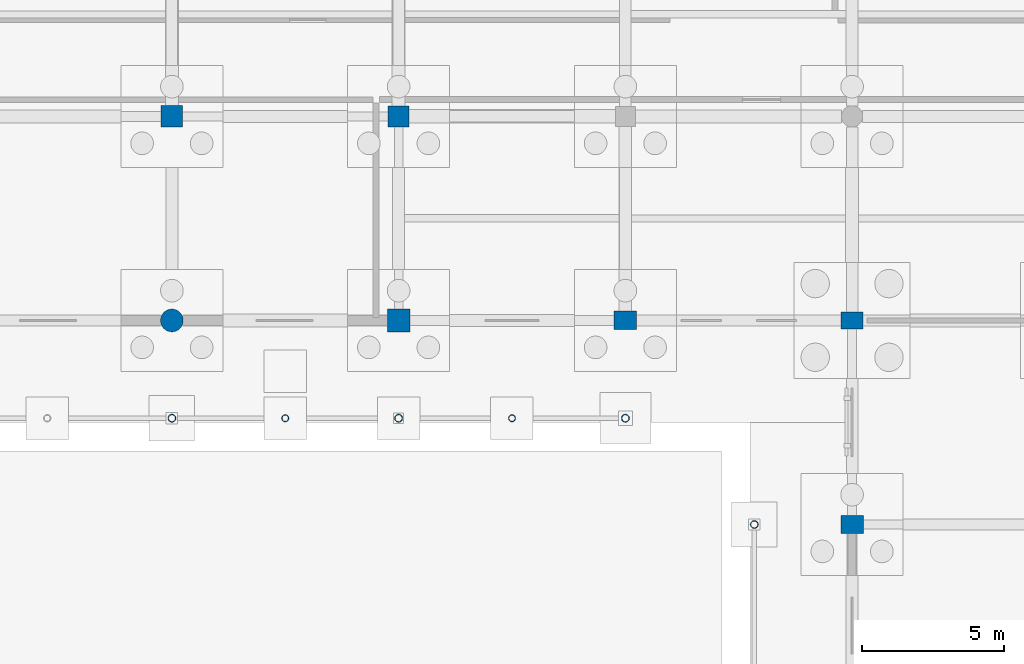
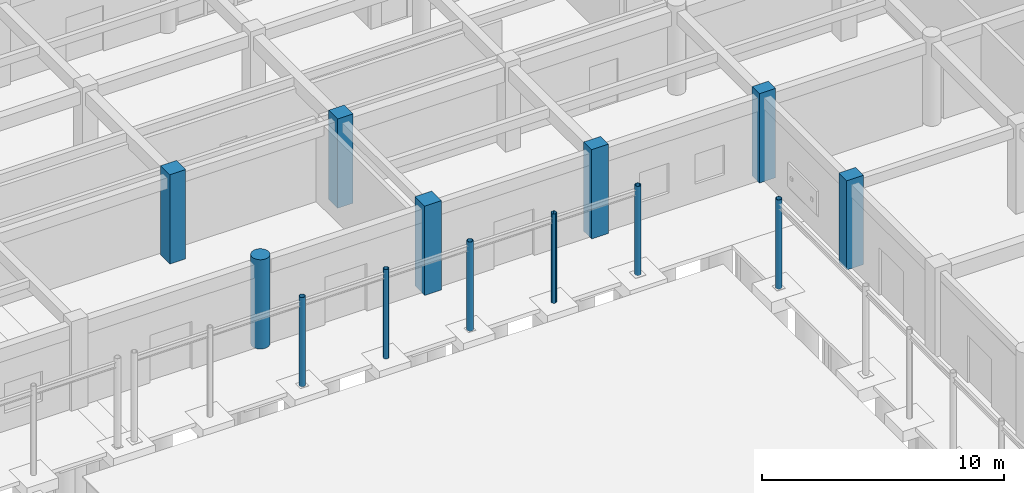
# One storey, part 47 of 166: 13 columns.
"""IFC4 building model written with IfcOpenShell, lengths in metres."""

from ifc_helpers import new_model, si_unit, direction, frame, origin, origin_2d, place, context, subcontext, project, spatial, rectangle, circle, hollow_circle, extrude, material, material_profile, profile_set, type_object, element, save


model = new_model("IFC4")

# Units and contexts
model_context = context("Model", 3, precision=1e-05, world=origin(), true_north=direction((0.0, 1.0)))
body_context = subcontext(model_context, "Body", "Model", "MODEL_VIEW")
ifc_project = project(units=[si_unit("LENGTHUNIT", "METRE"), si_unit("AREAUNIT", "SQUARE_METRE"), si_unit("VOLUMEUNIT", "CUBIC_METRE"), si_unit("PLANEANGLEUNIT", "RADIAN"), si_unit("MASSUNIT", "GRAM", prefix="KILO")], contexts=[model_context])

# Site, building, storey
site_placement = place(None, origin())
site = spatial("IfcSite", under=ifc_project, at=site_placement, CompositionType="ELEMENT")
building_placement = place(site_placement, origin())
building = spatial("IfcBuilding", under=site, at=building_placement, Name="Kharva Crest Polytechnic", CompositionType="ELEMENT")
storey_placement = place(building_placement, origin())
storey = spatial("IfcBuildingStorey", under=building, at=storey_placement, Name="L00", CompositionType="ELEMENT", Elevation=0.0)

# Columns
ifc_material_1 = material(Name="Concrete C40/50", Category="concrete")
ifc_material_profile_1 = material_profile(ifc_material_1, rectangle(XDim=0.780029296875, YDim=0.60009765625, at=origin_2d()), Name="RECT 780 X 600")
ifc_profile_set_1 = profile_set([ifc_material_profile_1], Name="Concrete C40/50")
column_type_1 = type_object("IfcColumnType", Name="COL-EXT-780X600", PredefinedType="COLUMN", material=ifc_profile_set_1)
column_1_placement = place(storey_placement, frame((152.800048828125, 100.39990234375, 0.0), z_axis=(0.0, 0.0, 1.0), x_axis=(1.0, 0.0, 0.0)))
element("IfcColumn", 1, at=column_1_placement, inside=storey, type_object=column_type_1, Name="L00 Column 20/P", PredefinedType="COLUMN", context=body_context, shape_type="SweptSolid", body=[
    extrude(rectangle(XDim=0.780029296875, YDim=0.60009765625, at=origin_2d()), origin(), (0.0, 0.0, 1.0), 4.5),
])
ifc_material_profile_2 = material_profile(ifc_material_1, rectangle(XDim=0.800048828125, YDim=0.64990234375, at=origin_2d()), Name="RECT 800 X 650")
ifc_profile_set_2 = profile_set([ifc_material_profile_2], Name="Concrete C40/50")
column_type_2 = type_object("IfcColumnType", Name="COL-EXT-800X650", PredefinedType="COLUMN", material=ifc_profile_set_2)
for number, where, z_axis, x_axis, name in (
    (2, (144.800048828125, 100.39990234375, 0.0), (0.0, 0.0, 1.0), (1.0, 0.0, 0.0), "L00 Column 19/P"),
    (3, (152.800048828125, 93.199951171875, 0.0), (0.0, 0.0, 1.0), (1.0, 0.0, 0.0), "L00 Column 20/N"),
):
    element("IfcColumn", number, at=place(storey_placement, frame(where, z_axis=z_axis, x_axis=x_axis)), inside=storey, type_object=column_type_2, Name=name, PredefinedType="COLUMN", context=body_context, shape_type="SweptSolid", body=[
        extrude(rectangle(XDim=0.800048828125, YDim=0.64990234375, at=origin_2d()), origin(), (0.0, 0.0, 1.0), 4.5),
    ])
ifc_material_profile_3 = material_profile(ifc_material_1, rectangle(XDim=0.800048828125, YDim=0.800048828125, at=origin_2d()), Name="RECT 800 X 800")
ifc_profile_set_3 = profile_set([ifc_material_profile_3], Name="Concrete C40/50")
column_type_3 = type_object("IfcColumnType", Name="COL-EXT-800X800", PredefinedType="COLUMN", material=ifc_profile_set_3)
column_2_placement = place(storey_placement, frame((136.800048828125, 100.39990234375, 0.0), z_axis=(0.0, 0.0, 1.0), x_axis=(1.0, 0.0, 0.0)))
element("IfcColumn", 4, at=column_2_placement, inside=storey, type_object=column_type_3, Name="L00 Column 18/P", PredefinedType="COLUMN", context=body_context, shape_type="SweptSolid", body=[
    extrude(rectangle(XDim=0.800048828125, YDim=0.800048828125, at=origin_2d()), origin(), (0.0, 0.0, 1.0), 4.5),
])
ifc_material_profile_4 = material_profile(ifc_material_1, circle(Radius=0.39990234375, at=origin_2d()), Name="DIA 800")
ifc_profile_set_4 = profile_set([ifc_material_profile_4], Name="Concrete C40/50")
column_type_4 = type_object("IfcColumnType", Name="COL-EXT-DIA800", PredefinedType="COLUMN", material=ifc_profile_set_4)
column_3_placement = place(storey_placement, frame((128.800048828125, 100.39990234375, 0.0), z_axis=(0.0, 0.0, 1.0), x_axis=(1.0, 0.0, 0.0)))
element("IfcColumn", 5, at=column_3_placement, inside=storey, type_object=column_type_4, Name="L00 Column 17/P", PredefinedType="COLUMN", context=body_context, shape_type="SweptSolid", body=[
    extrude(circle(Radius=0.39990234375, at=origin_2d()), origin(), (0.0, 0.0, 1.0), 4.5),
])
ifc_material_profile_5 = material_profile(ifc_material_1, rectangle(XDim=0.739990234375, YDim=0.739990234375, at=origin_2d()), Name="RECT 740 X 740")
ifc_profile_set_5 = profile_set([ifc_material_profile_5], Name="Concrete C40/50")
column_type_5 = type_object("IfcColumnType", Name="COL-INT-740X740", PredefinedType="COLUMN", material=ifc_profile_set_5)
column_4_placement = place(storey_placement, frame((136.800048828125, 107.60009765625, 0.0), z_axis=(0.0, 0.0, 1.0), x_axis=(1.0, 0.0, 0.0)))
element("IfcColumn", 6, at=column_4_placement, inside=storey, type_object=column_type_5, Name="L00 Column 18/Q", PredefinedType="COLUMN", context=body_context, shape_type="SweptSolid", body=[
    extrude(rectangle(XDim=0.739990234375, YDim=0.739990234375, at=origin_2d()), origin(), (0.0, 0.0, 1.0), 4.5),
])
ifc_material_profile_6 = material_profile(ifc_material_1, rectangle(XDim=0.760009765625, YDim=0.760009765625, at=origin_2d()), Name="RECT 760 X 760")
ifc_profile_set_6 = profile_set([ifc_material_profile_6], Name="Concrete C40/50")
column_type_6 = type_object("IfcColumnType", Name="COL-INT-760X760", PredefinedType="COLUMN", material=ifc_profile_set_6)
column_5_placement = place(storey_placement, frame((128.800048828125, 107.60009765625, 0.0), z_axis=(0.0, 0.0, 1.0), x_axis=(1.0, 0.0, 0.0)))
element("IfcColumn", 7, at=column_5_placement, inside=storey, type_object=column_type_6, Name="L00 Column 17/Q", PredefinedType="COLUMN", context=body_context, shape_type="SweptSolid", body=[
    extrude(rectangle(XDim=0.760009765625, YDim=0.760009765625, at=origin_2d()), origin(), (0.0, 0.0, 1.0), 4.5),
])
ifc_material_2 = material(Name="Steel S355", Category="steel")
ifc_material_profile_7 = material_profile(ifc_material_2, hollow_circle(Radius=0.122314453125, WallThickness=0.010009765625, at=origin_2d()), Name="CHS 244.5X10.0")
ifc_profile_set_7 = profile_set([ifc_material_profile_7], Name="Steel S355")
column_type_7 = type_object("IfcColumnType", Name="COL-STL-CHS244", PredefinedType="COLUMN", material=ifc_profile_set_7)
for number, where, z_axis, x_axis, name in (
    (8, (132.800048828125, 96.949951171875, 0.0), (0.0, 0.0, 1.0), (1.0, 0.0, 0.0), "L00 Colonnade Mid Column VNM10"),
    (9, (140.800048828125, 96.949951171875, 0.0), (0.0, 0.0, 1.0), (1.0, 0.0, 0.0), "L00 Colonnade Mid Column VNM11"),
):
    element("IfcColumn", number, at=place(storey_placement, frame(where, z_axis=z_axis, x_axis=x_axis)), inside=storey, type_object=column_type_7, Name=name, PredefinedType="COLUMN", context=body_context, shape_type="SweptSolid", body=[
        extrude(hollow_circle(Radius=0.122314453125, WallThickness=0.010009765625, at=origin_2d()), origin(), (0.0, 0.0, 1.0), 4.5),
    ])
ifc_material_profile_8 = material_profile(ifc_material_2, hollow_circle(Radius=0.136474609375, WallThickness=0.012451171875, at=origin_2d()), Name="CHS 273.0X12.5")
ifc_profile_set_8 = profile_set([ifc_material_profile_8], Name="Steel S355")
column_type_8 = type_object("IfcColumnType", Name="COL-STL-CHS273", PredefinedType="COLUMN", material=ifc_profile_set_8)
for number, where, z_axis, x_axis, name in (
    (10, (128.800048828125, 96.949951171875, 0.0), (0.0, 0.0, 1.0), (1.0, 0.0, 0.0), "L00 Colonnade Column VN11"),
    (11, (136.800048828125, 96.949951171875, 0.0), (0.0, 0.0, 1.0), (1.0, 0.0, 0.0), "L00 Colonnade Column VN12"),
    (12, (144.800048828125, 96.949951171875, 0.0), (0.0, 0.0, 1.0), (1.0, 0.0, 0.0), "L00 Colonnade Column VN13"),
    (13, (149.35009765625, 93.199951171875, 0.0), (0.0, 0.0, 1.0), (1.0, 0.0, 0.0), "L00 Colonnade Column VE07"),
):
    element("IfcColumn", number, at=place(storey_placement, frame(where, z_axis=z_axis, x_axis=x_axis)), inside=storey, type_object=column_type_8, Name=name, PredefinedType="COLUMN", context=body_context, shape_type="SweptSolid", body=[
        extrude(hollow_circle(Radius=0.136474609375, WallThickness=0.012451171875, at=origin_2d()), origin(), (0.0, 0.0, 1.0), 4.5),
    ])

save(model, "model.ifc")
